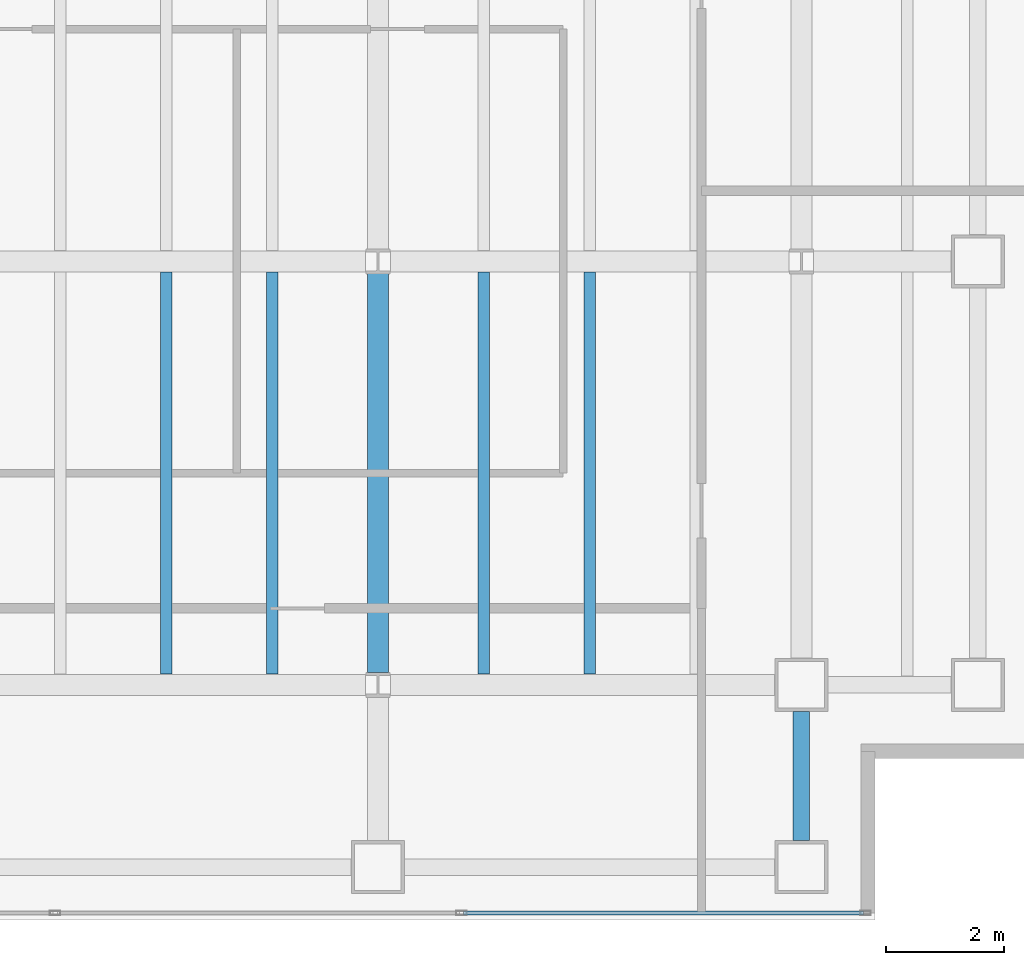
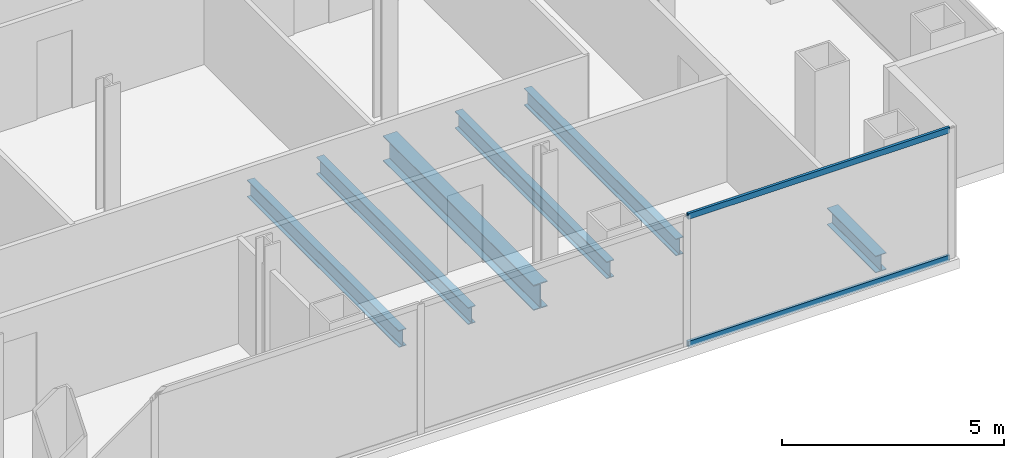
# One storey, part 10 of 23: 6 beams, 2 members, 1 element without a shape of its own.
"""IFC4 building model written with IfcOpenShell, lengths in metres."""

import ifcopenshell
import ifcopenshell.guid

model = None  # the IFC model being written
_history = None  # IfcOwnerHistory: only IFC2X3 demands one
_inside = {}  # id of a spatial element -> (the spatial element, [elements in it])
_under = {}  # id of a project, library or spatial element -> (it, [spatial elements below it])
_declared = {}  # id of a project -> (the project, [libraries it declares])
_typed = {}  # id of a type object -> (the type object, [elements of that type])
_made_of = {}  # id of a material, layer set ... -> (it, [elements and type objects made of it])


def new_model(schema):
    """Start an empty IFC model of exactly this schema.

    Asked for "IFC4X3", IfcOpenShell would pick the latest addendum, in which some entities
    have other attributes; the version numbers below select the first issue.
    IFC2X3 requires an IfcOwnerHistory on every rooted entity: one is made here for all.
    """
    global model, _history
    if schema == "IFC4X3":
        model = ifcopenshell.file(schema_version=(4, 3, 0, 0))
    else:
        model = ifcopenshell.file(schema=schema)
    _inside.clear()
    _under.clear()
    _declared.clear()
    _typed.clear()
    _made_of.clear()
    _history = None
    if model.schema == "IFC2X3":
        org = make("IfcOrganization", Name="unknown")
        user = make(
            "IfcPersonAndOrganization",
            ThePerson=make("IfcPerson", FamilyName="unknown"),
            TheOrganization=org,
        )
        app = make(
            "IfcApplication",
            ApplicationDeveloper=org,
            Version="unknown",
            ApplicationFullName="unknown",
            ApplicationIdentifier="unknown",
        )
        _history = make(
            "IfcOwnerHistory",
            OwningUser=user,
            OwningApplication=app,
            ChangeAction="ADDED",
            CreationDate=0,
        )
    return model


def make(cls, **values):
    """One entity of the class cls with the attributes given. An attribute that is None is left unset."""
    return model.create_entity(
        cls, **{name: value for name, value in values.items() if value is not None}
    )


def rooted(cls, **values):
    """An entity with a GlobalId (a new one), such as an element, a storey or a relation."""
    return make(cls, GlobalId=ifcopenshell.guid.new(), OwnerHistory=_history, **values)


def si_unit(unit_type, name, prefix=None):
    """IfcSIUnit, for example si_unit("LENGTHUNIT", "METRE", prefix="MILLI")."""
    return make("IfcSIUnit", UnitType=unit_type, Prefix=prefix, Name=name)


def assignment(units):
    """IfcUnitAssignment: the units of a project."""
    return None if units is None else make("IfcUnitAssignment", Units=units)


def point(xyz):
    """IfcCartesianPoint."""
    return None if xyz is None else make("IfcCartesianPoint", Coordinates=xyz)


def direction(xyz):
    """IfcDirection."""
    return None if xyz is None else make("IfcDirection", DirectionRatios=xyz)


def frame(location, z_axis=None, x_axis=None):
    """IfcAxis2Placement3D, a coordinate frame: its origin and axes. An axis left out is left unset."""
    return make(
        "IfcAxis2Placement3D",
        Location=point(location),
        Axis=direction(z_axis),
        RefDirection=direction(x_axis),
    )


def frame_2d(location, x_axis=None):
    """IfcAxis2Placement2D, a coordinate frame in the plane: its origin and x axis."""
    return make(
        "IfcAxis2Placement2D", Location=point(location), RefDirection=direction(x_axis)
    )


def origin():
    """The frame at (0, 0, 0) with its axes left unset."""
    return frame((0.0, 0.0, 0.0))


def origin_2d():
    """The frame at (0, 0) in the plane with its x axis left unset."""
    return frame_2d((0.0, 0.0))


def place(relative_to, where):
    """IfcLocalPlacement: puts the frame where relative to a parent placement (None: the world)."""
    return make(
        "IfcLocalPlacement", PlacementRelTo=relative_to, RelativePlacement=where
    )


def context(
    kind, dimensions, precision=None, world=None, true_north=None, identifier=None
):
    """IfcGeometricRepresentationContext, for example the 3D "Model" context."""
    return make(
        "IfcGeometricRepresentationContext",
        ContextIdentifier=identifier,
        ContextType=kind,
        CoordinateSpaceDimension=dimensions,
        Precision=precision,
        WorldCoordinateSystem=world,
        TrueNorth=true_north,
    )


def subcontext(parent, identifier, kind, view, scale=None):
    """IfcGeometricRepresentationSubContext, for example "Body" below "Model"."""
    return make(
        "IfcGeometricRepresentationSubContext",
        ContextIdentifier=identifier,
        ContextType=kind,
        ParentContext=parent,
        TargetScale=scale,
        TargetView=view,
    )


def project(units=None, contexts=None):
    """IfcProject with its units and contexts."""
    return rooted(
        "IfcProject",
        Name="project",
        RepresentationContexts=contexts,
        UnitsInContext=assignment(units),
    )


def spatial(cls, under=None, at=None, **own):
    """A site, building, storey or space (cls), placed at a placement, below another one or the project."""
    s = rooted(cls, ObjectPlacement=at, **own)
    if under is not None:
        _under.setdefault(under.id(), (under, []))[1].append(s)
    return s


def profile(cls, at=None, kind="AREA", **sizes):
    """A parametric profile (cls). Its sizes go by their IFC names, for example OverallWidth=200.0."""
    return make(cls, ProfileType=kind, Position=at, **sizes)


def hollow_rectangle(**sizes):
    """IfcRectangleHollowProfileDef."""
    return profile("IfcRectangleHollowProfileDef", **sizes)


def i_section(**sizes):
    """IfcIShapeProfileDef."""
    return profile("IfcIShapeProfileDef", **sizes)


def extrude(swept, where, along, depth):
    """IfcExtrudedAreaSolid: the profile swept, set in the frame where, extruded along a direction by depth."""
    return make(
        "IfcExtrudedAreaSolid",
        SweptArea=swept,
        Position=where,
        ExtrudedDirection=direction(along),
        Depth=depth,
    )


def shape(context_of_items, identifier, shape_type, items):
    """IfcShapeRepresentation: the items that make up one representation, for example the "Body"."""
    return make(
        "IfcShapeRepresentation",
        ContextOfItems=context_of_items,
        RepresentationIdentifier=identifier,
        RepresentationType=shape_type,
        Items=items,
    )


def material(Name=None, Category=None):
    """IfcMaterial."""
    return make("IfcMaterial", Name=Name, Category=Category)


def material_profile(
    of_material, cross_section, Name=None, Category=None, Priority=None
):
    """IfcMaterialProfile: a cross section and its material."""
    return make(
        "IfcMaterialProfile",
        Name=Name,
        Material=of_material,
        Profile=cross_section,
        Priority=Priority,
        Category=Category,
    )


def profile_set(profiles, Name=None, composite=None):
    """IfcMaterialProfileSet."""
    return make(
        "IfcMaterialProfileSet",
        Name=Name,
        MaterialProfiles=profiles,
        CompositeProfile=composite,
    )


def made_of(thing, what):
    """Note that an element or type object is made of a material, layer set ...; save() writes the relation."""
    if what is not None:
        _made_of.setdefault(what.id(), (what, []))[1].append(thing)
    return thing


def type_object(cls, material=None, **own):
    """A type object (cls), such as IfcWallType, which elements share."""
    return made_of(rooted(cls, **own), material)


def element(
    cls,
    number,
    at=None,
    inside=None,
    cuts=None,
    type_object=None,
    material=None,
    context=None,
    identifier="Body",
    shape_type=None,
    held_by="IfcProductDefinitionShape",
    body=None,
    shapes=None,
    **own,
):
    """One element of the class cls, such as IfcWall. Its Tag is "e" and its number.

    at: its placement. inside: the storey or other place that contains it. cuts: it is an
    opening in that element (IfcRelVoidsElement). A single representation is given by context,
    identifier, shape_type and body (its items); several are given by shapes. held_by: the class
    of the entity that holds the representations. save() writes the other relations.
    """
    e = rooted(cls, Tag="e%d" % number, ObjectPlacement=at, **own)
    if body is not None:
        shapes = [shape(context, identifier, shape_type, body)]
    if shapes is not None:
        e.Representation = make(held_by, Representations=shapes)
    if inside is not None:
        _inside.setdefault(inside.id(), (inside, []))[1].append(e)
    if cuts is not None:
        rooted(
            "IfcRelVoidsElement", RelatingBuildingElement=cuts, RelatedOpeningElement=e
        )
    if type_object is not None:
        _typed.setdefault(type_object.id(), (type_object, []))[1].append(e)
    return made_of(e, material)


def aggregate(whole, parts):
    """IfcRelAggregates: a whole, such as a stair, and the parts it consists of."""
    return rooted("IfcRelAggregates", RelatingObject=whole, RelatedObjects=parts)


def save(model, path):
    """Write the relations noted so far, then the file.

    IfcRelAggregates (storeys below a building ...), IfcRelContainedInSpatialStructure (elements
    in a storey), IfcRelDefinesByType, IfcRelAssociatesMaterial and IfcRelDeclares: one each for
    every whole, place, type object, material and project.
    """
    for whole, parts in _under.values():
        aggregate(whole, parts)
    for where, things in _inside.values():
        rooted(
            "IfcRelContainedInSpatialStructure",
            RelatedElements=things,
            RelatingStructure=where,
        )
    for kind, things in _typed.values():
        rooted("IfcRelDefinesByType", RelatedObjects=things, RelatingType=kind)
    for what, things in _made_of.values():
        rooted("IfcRelAssociatesMaterial", RelatedObjects=things, RelatingMaterial=what)
    for by, libraries in _declared.values():
        rooted("IfcRelDeclares", RelatingContext=by, RelatedDefinitions=libraries)
    model.write(path)


model = new_model("IFC4")

# Units and contexts
model_context = context("Model", 3, precision=1e-05, world=origin(), true_north=direction((0.0, 1.0)))
body_context = subcontext(model_context, "Body", "Model", "MODEL_VIEW")
ifc_project = project(units=[si_unit("LENGTHUNIT", "METRE"), si_unit("AREAUNIT", "SQUARE_METRE"), si_unit("VOLUMEUNIT", "CUBIC_METRE"), si_unit("PLANEANGLEUNIT", "RADIAN"), si_unit("MASSUNIT", "GRAM", prefix="KILO")], contexts=[model_context])

# Site, building, storey
site_placement = place(None, origin())
site = spatial("IfcSite", under=ifc_project, at=site_placement, CompositionType="ELEMENT")
building_placement = place(site_placement, origin())
building = spatial("IfcBuilding", under=site, at=building_placement, Name="Cobrela Telecom Tower", CompositionType="ELEMENT")
storey_placement = place(building_placement, frame((0.0, 0.0, 125.300048828125)))
storey = spatial("IfcBuildingStorey", under=building, at=storey_placement, Name="L31", CompositionType="ELEMENT", Elevation=125.300048828125)

# Beams
ifc_material_1 = material(Name="Steel ASTM A992 Grade 50", Category="steel")
ifc_material_profile_1 = material_profile(ifc_material_1, i_section(OverallWidth=0.35595703125, OverallDepth=0.696044921875, WebThickness=0.015380859375, FlangeThickness=0.024658203125, FilletRadius=0.01806640625, at=origin_2d()), Name="W27X146")
ifc_profile_set_1 = profile_set([ifc_material_profile_1], Name="Steel ASTM A992 Grade 50")
beam_type_1 = type_object("IfcBeamType", Name="BM-GIRD-05", PredefinedType="USERDEFINED", material=ifc_profile_set_1)
beam_1_placement = place(storey_placement, frame((36.0, 7.409423828125, -0.6181640625), z_axis=(0.0, 1.0, 0.0), x_axis=(-1.0, 0.0, 0.0)))
element("IfcBeam", 1, at=beam_1_placement, inside=storey, type_object=beam_type_1, Name="L31 Primary Girder Y50", ObjectType="GIRDER", PredefinedType="USERDEFINED", context=body_context, shape_type="SweptSolid", body=[
    extrude(i_section(OverallWidth=0.35595703125, OverallDepth=0.696044921875, WebThickness=0.015380859375, FlangeThickness=0.024658203125, FilletRadius=0.01806640625, at=origin_2d()), origin(), (0.0, 0.0, 1.0), 6.781005859375),
])
ifc_material_profile_2 = material_profile(ifc_material_1, i_section(OverallWidth=0.193115234375, OverallDepth=0.467041015625, WebThickness=0.011474609375, FlangeThickness=0.01904296875, FilletRadius=0.012939453125, at=origin_2d()), Name="W18X65")
ifc_profile_set_2 = profile_set([ifc_material_profile_2], Name="Steel ASTM A992 Grade 50")
beam_type_2 = type_object("IfcBeamType", Name="BM-JOIST-03", PredefinedType="JOIST", material=ifc_profile_set_2)
for number, where, z_axis, x_axis, name in (
    (2, (32.39990234375, 7.383056640625, -0.503662109375), (0.0, 1.0, 0.0), (-1.0, 0.0, 0.0), "L31 Secondary Composite Floor Beam J29"),
    (3, (34.199951171875, 7.383056640625, -0.503662109375), (0.0, 1.0, 0.0), (-1.0, 0.0, 0.0), "L31 Secondary Composite Floor Beam J31"),
    (4, (37.800048828125, 7.383056640625, -0.503662109375), (0.0, 1.0, 0.0), (-1.0, 0.0, 0.0), "L31 Secondary Composite Floor Beam J33"),
    (5, (39.60009765625, 7.383056640625, -0.503662109375), (0.0, 1.0, 0.0), (-1.0, 0.0, 0.0), "L31 Secondary Composite Floor Beam J35"),
):
    element("IfcBeam", number, at=place(storey_placement, frame(where, z_axis=z_axis, x_axis=x_axis)), inside=storey, type_object=beam_type_2, Name=name, PredefinedType="JOIST", context=body_context, shape_type="SweptSolid", body=[
        extrude(i_section(OverallWidth=0.193115234375, OverallDepth=0.467041015625, WebThickness=0.011474609375, FlangeThickness=0.01904296875, FilletRadius=0.012939453125, at=origin_2d()), origin(), (0.0, 0.0, 1.0), 6.833984375),
    ])
ifc_material_profile_3 = material_profile(ifc_material_1, i_section(OverallWidth=0.281982421875, OverallDepth=0.467041015625, WebThickness=0.01220703125, FlangeThickness=0.01953125, FilletRadius=0.012939453125, at=origin_2d()), Name="W18X86")
ifc_profile_set_3 = profile_set([ifc_material_profile_3], Name="Steel ASTM A992 Grade 50")
beam_type_3 = type_object("IfcBeamType", Name="BM-SPAND-04", PredefinedType="SPANDREL", material=ifc_profile_set_3)
beam_2_placement = place(storey_placement, frame((43.199951171875, 4.554931640625, -0.503662109375), z_axis=(0.0, 1.0, 0.0), x_axis=(-1.0, 0.0, 0.0)))
element("IfcBeam", 6, at=beam_2_placement, inside=storey, type_object=beam_type_3, Name="L31 Perimeter Spandrel Y52", PredefinedType="SPANDREL", context=body_context, shape_type="SweptSolid", body=[
    extrude(i_section(OverallWidth=0.281982421875, OverallDepth=0.467041015625, WebThickness=0.01220703125, FlangeThickness=0.01953125, FilletRadius=0.012939453125, at=origin_2d()), origin(), (0.0, 0.0, 1.0), 2.190185546875),
])

# Curtain wall, members
ifc_material_2 = material(Name="Anodized Bronze Aluminium 6063-T6", Category="aluminium")
curtain_wall_type = type_object("IfcCurtainWallType", Name="CW-SYS-TEL", PredefinedType="USERDEFINED", material=ifc_material_2)
curtain_wall_placement = place(storey_placement, origin())
curtain_wall = element("IfcCurtainWall", 7, at=curtain_wall_placement, inside=storey, type_object=curtain_wall_type, Name="L31 Unitised Bronze Curtain Wall 17", ObjectType="UNITISED CURTAIN WALL", PredefinedType="USERDEFINED")
ifc_material_profile_4 = material_profile(ifc_material_2, hollow_rectangle(XDim=0.070068359375, YDim=0.159912109375, WallThickness=0.00390625, at=origin_2d()), Name="ALU 70x160x4")
ifc_profile_set_4 = profile_set([ifc_material_profile_4], Name="Anodized Bronze Aluminium 6063-T6")
member_type = type_object("IfcMemberType", Name="CW-SYS-TEL-TRN", PredefinedType="USERDEFINED", material=ifc_profile_set_4)
member_1_placement = place(storey_placement, frame((44.2548828125, 3.320068359375, 0.034912109375), z_axis=(-1.0, 0.0, 0.0), x_axis=(0.0, -1.0, 0.0)))
member_1 = element("IfcMember", 8, at=member_1_placement, type_object=member_type, Name="CW-TEL transom 1.1", ObjectType="TRANSOM", PredefinedType="USERDEFINED", context=body_context, shape_type="SweptSolid", body=[
    extrude(hollow_rectangle(XDim=0.070068359375, YDim=0.159912109375, WallThickness=0.00390625, at=origin_2d()), origin(), (0.0, 0.0, 1.0), 6.79736328125),
])
member_2_placement = place(storey_placement, frame((44.2548828125, 3.320068359375, 3.544921875), z_axis=(-1.0, 0.0, 0.0), x_axis=(0.0, -1.0, 0.0)))
member_2 = element("IfcMember", 9, at=member_2_placement, type_object=member_type, Name="CW-TEL transom 1.2", ObjectType="TRANSOM", PredefinedType="USERDEFINED", context=body_context, shape_type="SweptSolid", body=[
    extrude(hollow_rectangle(XDim=0.070068359375, YDim=0.159912109375, WallThickness=0.00390625, at=origin_2d()), origin(), (0.0, 0.0, 1.0), 6.79736328125),
])
aggregate(curtain_wall, [member_1, member_2])

save(model, "model.ifc")
